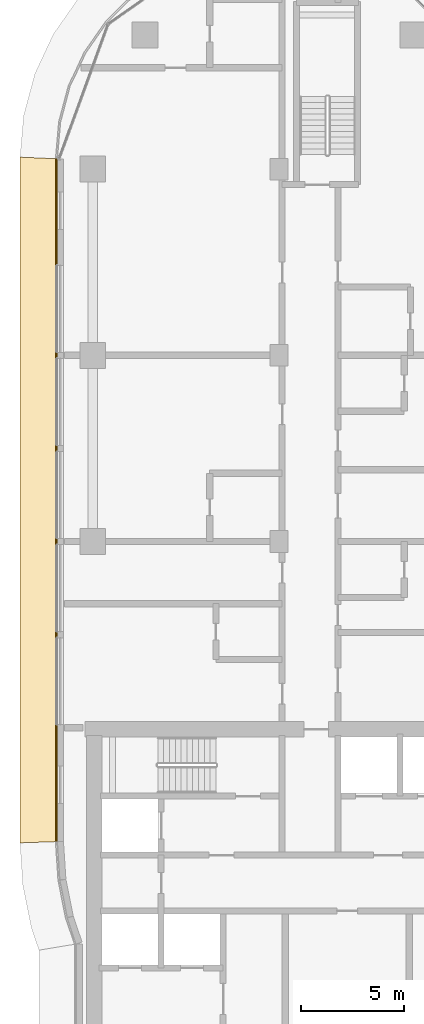
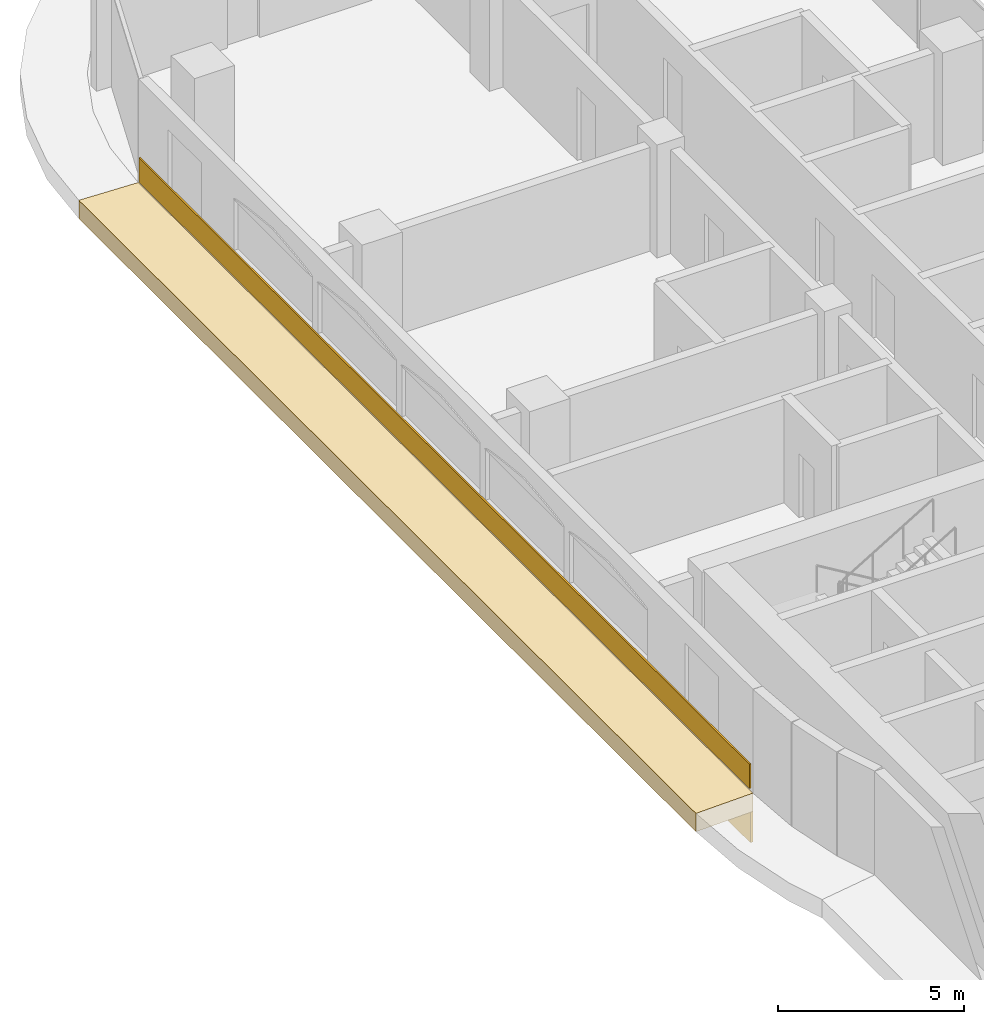
# One storey, part 19 of 25: 3 coverings.
"""IFC4 building model written with IfcOpenShell, lengths in metres."""

from ifc_helpers import new_model, si_unit, direction, frame, origin, origin_2d, place, context, subcontext, project, spatial, polyline, rectangle, outline, extrude, material, layer, layer_set, type_object, element, save


model = new_model("IFC4")

# Units and contexts
model_context = context("Model", 3, precision=1e-05, world=origin(), true_north=direction((0.0, 1.0)))
body_context = subcontext(model_context, "Body", "Model", "MODEL_VIEW")
ifc_project = project(units=[si_unit("LENGTHUNIT", "METRE"), si_unit("AREAUNIT", "SQUARE_METRE"), si_unit("VOLUMEUNIT", "CUBIC_METRE"), si_unit("PLANEANGLEUNIT", "RADIAN"), si_unit("MASSUNIT", "GRAM", prefix="KILO")], contexts=[model_context])

# Site, building, storey
site_placement = place(None, origin())
site = spatial("IfcSite", under=ifc_project, at=site_placement, CompositionType="ELEMENT")
building_placement = place(site_placement, origin())
building = spatial("IfcBuilding", under=site, at=building_placement, Name="Ogive Portal Towers", CompositionType="ELEMENT")
storey_placement = place(building_placement, frame((0.0, 0.0, 124.10009765625)))
storey = spatial("IfcBuildingStorey", under=building, at=storey_placement, Name="L30", CompositionType="ELEMENT", Elevation=124.10009765625)

# Coverings
ifc_material = material(Name="Limestone cladding on lightweight block wall", Category="masonry")
ifc_layer_1 = layer(ifc_material, 0.050048828125)
ifc_layer_set_1 = layer_set([ifc_layer_1], Name="SCREEN PERFORATED STONE")
covering_type_1 = type_object("IfcCoveringType", Name="SCREEN PERFORATED STONE", PredefinedType="CLADDING", material=ifc_layer_set_1)
covering_1_placement = place(storey_placement, frame((29.760009765625, 50.497802734375, 0.10009765625), z_axis=(0.0, 0.0, 1.0), x_axis=(0.0, -1.0, 0.0)))
element("IfcCovering", 1, at=covering_1_placement, inside=storey, type_object=covering_type_1, Name="Tracery screen", PredefinedType="CLADDING", context=body_context, shape_type="SweptSolid", body=[
    extrude(rectangle(XDim=32.776123046875, YDim=0.050048828125, at=origin_2d()), origin(), (0.0, 0.0, 1.0), 0.800048828125),
])
ifc_layer_2 = layer(ifc_material, 0.080078125)
ifc_layer_set_2 = layer_set([ifc_layer_2], Name="STONE SPANDREL 80")
covering_type_2 = type_object("IfcCoveringType", Name="STONE SPANDREL 80", PredefinedType="CLADDING", material=ifc_layer_set_2)
covering_2_placement = place(storey_placement, frame((0.0, 0.0, -1.60009765625)))
element("IfcCovering", 2, at=covering_2_placement, inside=storey, type_object=covering_type_2, Name="Stone spandrel A1-F13", PredefinedType="CLADDING", context=body_context, shape_type="SweptSolid", body=[
    extrude(outline(polyline([(29.784912109375, 67.0), (29.784912109375, 34.0), (29.705078125, 33.997314453125), (29.705078125, 67.00341796875), (29.784912109375, 67.0)])), origin(), (0.0, 0.0, 1.0), 1.0),
])
ifc_layer_3 = layer(ifc_material, 0.60009765625)
ifc_layer_set_3 = layer_set([ifc_layer_3], Name="SUNSHADE LIP 600")
covering_type_3 = type_object("IfcCoveringType", Name="SUNSHADE LIP 600", PredefinedType="CLADDING", material=ifc_layer_set_3)
covering_3_placement = place(storey_placement, frame((0.0, 0.0, -0.60009765625)))
element("IfcCovering", 3, at=covering_3_placement, inside=storey, type_object=covering_type_3, Name="Sunshade lip A1-F13", PredefinedType="CLADDING", context=body_context, shape_type="SweptSolid", body=[
    extrude(outline(polyline([(29.784912109375, 67.0), (29.784912109375, 34.0), (27.985107421875, 33.941162109375), (27.985107421875, 67.07861328125), (29.784912109375, 67.0)])), origin(), (0.0, 0.0, 1.0), 0.60009765625),
])

save(model, "model.ifc")
